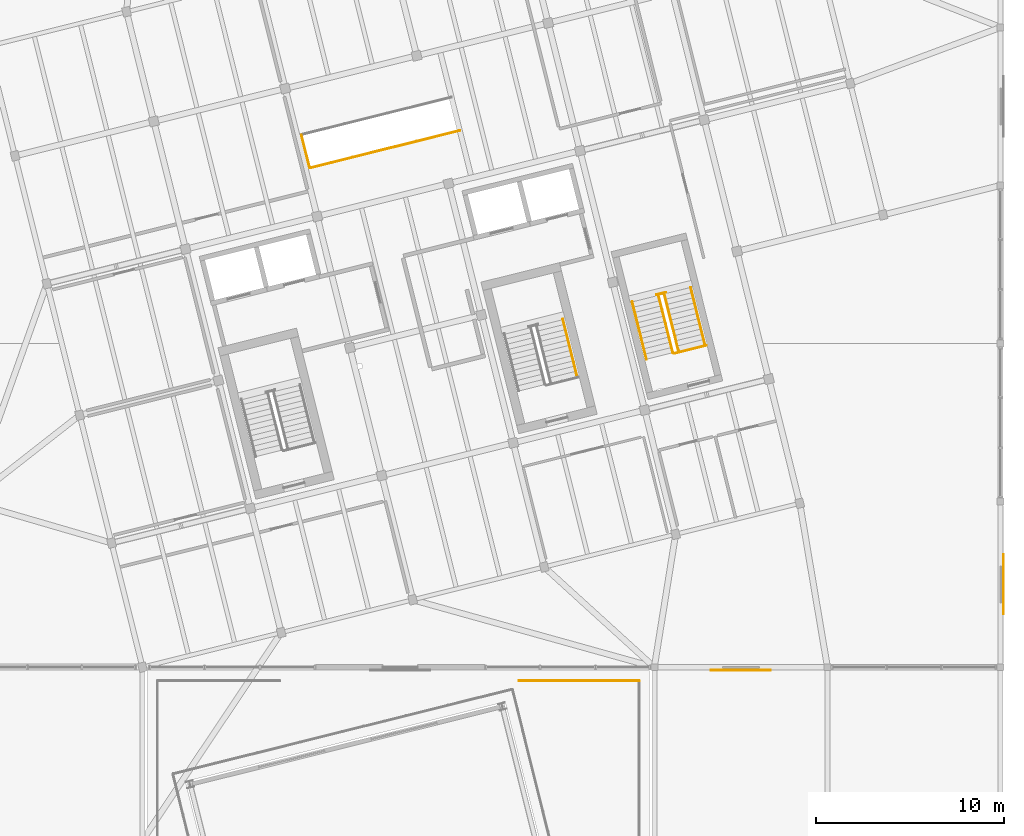
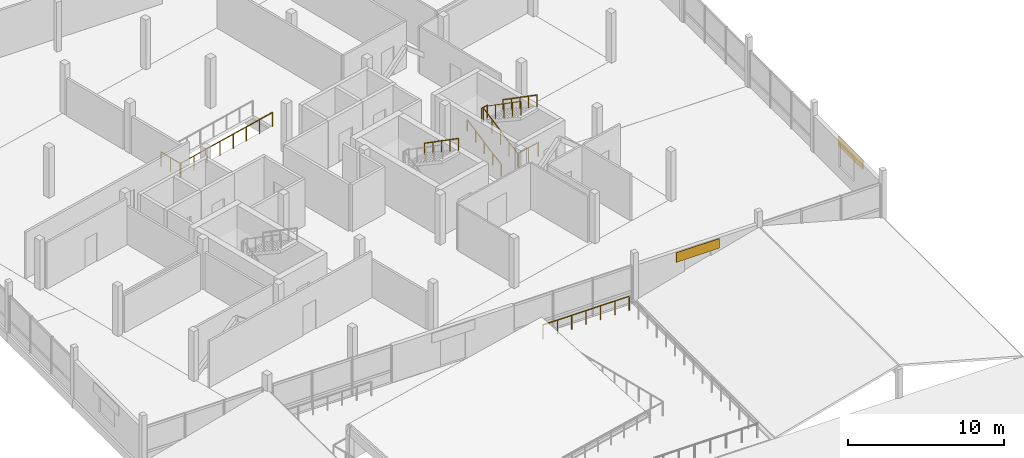
# One storey, part 38 of 39: 10 railings, 2 coverings.
"""IFC4 building model written with IfcOpenShell, lengths in metres."""

from ifc_helpers import new_model, si_unit, direction, frame, origin, origin_2d, place, context, subcontext, project, spatial, rectangle, circle, extrude, material, layer, layer_set, type_object, element, save


model = new_model("IFC4")

# Units and contexts
model_context = context("Model", 3, precision=1e-05, world=origin(), true_north=direction((0.0, 1.0)))
body_context = subcontext(model_context, "Body", "Model", "MODEL_VIEW")
ifc_project = project(units=[si_unit("LENGTHUNIT", "METRE"), si_unit("AREAUNIT", "SQUARE_METRE"), si_unit("VOLUMEUNIT", "CUBIC_METRE"), si_unit("PLANEANGLEUNIT", "RADIAN"), si_unit("MASSUNIT", "GRAM", prefix="KILO")], contexts=[model_context])

# Site, building, storey
site_placement = place(None, origin())
site = spatial("IfcSite", under=ifc_project, at=site_placement, CompositionType="ELEMENT")
building_placement = place(site_placement, origin())
building = spatial("IfcBuilding", under=site, at=building_placement, Name="Meriwether Solvik Hall", CompositionType="ELEMENT")
storey_placement = place(building_placement, frame((0.0, 0.0, 22.199951171875)))
storey = spatial("IfcBuildingStorey", under=building, at=storey_placement, Name="L05", CompositionType="ELEMENT", Elevation=22.199951171875)

# Coverings
ifc_material_1 = material(Name="Acetylated Charred Western Red Cedar Timber", Category="wood")
ifc_layer_1 = layer(ifc_material_1, 0.0400390625)
ifc_layer_set_1 = layer_set([ifc_layer_1], Name="Acetylated Charred Western Red Cedar Timber")
covering_type = type_object("IfcCoveringType", Name="COV-CLAD-TIMB", PredefinedType="CLADDING", material=ifc_layer_set_1)
for number, where, z_axis, x_axis, name in (
    (1, (100.39990234375, 41.0400390625, 2.080078125), (0.0, 0.0, 1.0), (-1.0, 0.0, 0.0), "L05 Facade Cladding XE_11_4"),
    (2, (114.360107421875, 45.60009765625, 2.080078125), (0.0, 0.0, 1.0), (0.0, -1.0, 0.0), "L05 Facade Cladding Y13_5_18"),
):
    element("IfcCovering", number, at=place(storey_placement, frame(where, z_axis=z_axis, x_axis=x_axis)), inside=storey, type_object=covering_type, Name=name, PredefinedType="CLADDING", context=body_context, shape_type="SweptSolid", body=[
        extrude(rectangle(XDim=3.199951171875, YDim=0.0400390625, at=origin_2d()), origin(), (0.0, 0.0, 1.0), 0.75),
    ])

# Railings
ifc_material_2 = material(Name="Steel A36 Galvanised", Category="steel")
ifc_layer_2 = layer(ifc_material_2, 0.054931640625)
ifc_layer_set_2 = layer_set([ifc_layer_2], Name="Steel A36 Galvanised")
railing_type_1 = type_object("IfcRailingType", Name="RAIL-STR-GUARD", PredefinedType="GUARDRAIL", material=ifc_layer_set_2)
railing_1_placement = place(storey_placement, frame((95.92333984375, 60.992919921875, 1.949951171875)))
element("IfcRailing", 3, at=railing_1_placement, inside=storey, type_object=railing_type_1, Name="Stair ST-03 Landing Guardrail (L05)", PredefinedType="GUARDRAIL", context=body_context, shape_type="SweptSolid", body=[
    extrude(circle(Radius=0.02392578125, at=origin_2d()), frame((0.0, 0.0, 1.09619140625), z_axis=(0.970228607419, 0.242190935722, 0.0), x_axis=(-0.242190935722, 0.970228607419, 0.0)), (0.0, 0.0, 1.0), 0.5),
    extrude(circle(Radius=0.02099609375, at=origin_2d()), origin(), (0.0, 0.0, 1.0), 1.072021484375),
    extrude(circle(Radius=0.02099609375, at=origin_2d()), frame((0.485107421875, 0.12109375, 0.0)), (0.0, 0.0, 1.0), 1.072021484375),
])
railing_2_placement = place(storey_placement, frame((96.856201171875, 57.87109375, 0.0)))
element("IfcRailing", 4, at=railing_2_placement, inside=storey, type_object=railing_type_1, Name="Stair ST-03 Well Guardrail (L05)", PredefinedType="GUARDRAIL", context=body_context, shape_type="SweptSolid", body=[
    extrude(circle(Radius=0.02392578125, at=origin_2d()), frame((0.0, 0.0, 1.09619140625), z_axis=(0.970298223594, 0.241911879182, 0.0), x_axis=(-0.241911879182, 0.970298223594, 0.0)), (0.0, 0.0, 1.0), 1.75),
    extrude(circle(Radius=0.02099609375, at=origin_2d()), origin(), (0.0, 0.0, 1.0), 1.072021484375),
    extrude(circle(Radius=0.02099609375, at=origin_2d()), frame((0.84912109375, 0.211669921875, 0.0)), (0.0, 0.0, 1.0), 1.072021484375),
    extrude(circle(Radius=0.02099609375, at=origin_2d()), frame((1.697998046875, 0.42333984375, 0.0)), (0.0, 0.0, 1.0), 1.072021484375),
])
railing_3_placement = place(storey_placement, frame((96.783447265625, 57.914794921875, 0.0)))
element("IfcRailing", 5, at=railing_3_placement, inside=storey, type_object=railing_type_1, Name="Stair ST-03 Flight 1 Inner Guardrail (L05)", PredefinedType="GUARDRAIL", context=body_context, shape_type="SweptSolid", body=[
    extrude(circle(Radius=0.02392578125, at=origin_2d()), frame((0.0, 0.0, 1.09619140625), z_axis=(-0.205400062928, 0.823914804899, 0.528181037541), x_axis=(-0.97030262861, -0.241894210166, 0.0)), (0.0, 0.0, 1.0), 3.69189453125),
    extrude(circle(Radius=0.02099609375, at=origin_2d()), origin(), (0.0, 0.0, 1.0), 1.072021484375),
    extrude(circle(Radius=0.02099609375, at=origin_2d()), frame((-0.189453125, 0.760498046875, 0.487548828125)), (0.0, 0.0, 1.0), 1.072021484375),
    extrude(circle(Radius=0.02099609375, at=origin_2d()), frame((-0.379150390625, 1.52099609375, 0.97509765625)), (0.0, 0.0, 1.0), 1.072021484375),
    extrude(circle(Radius=0.02099609375, at=origin_2d()), frame((-0.56884765625, 2.28125, 1.46240234375)), (0.0, 0.0, 1.0), 1.072021484375),
    extrude(circle(Radius=0.02099609375, at=origin_2d()), frame((-0.75830078125, 3.041748046875, 1.949951171875)), (0.0, 0.0, 1.0), 1.072021484375),
])
railing_4_placement = place(storey_placement, frame((96.335693359375, 61.033935546875, 1.949951171875)))
element("IfcRailing", 6, at=railing_4_placement, inside=storey, type_object=railing_type_1, Name="Stair ST-03 Flight 2 Inner Guardrail (L05)", PredefinedType="GUARDRAIL", context=body_context, shape_type="SweptSolid", body=[
    extrude(circle(Radius=0.02392578125, at=origin_2d()), frame((0.0, 0.0, 1.09619140625), z_axis=(0.205392888505, -0.823886026365, 0.528228716478), x_axis=(0.97030262861, 0.241894210166, 0.0)), (0.0, 0.0, 1.0), 3.69189453125),
    extrude(circle(Radius=0.02099609375, at=origin_2d()), origin(), (0.0, 0.0, 1.0), 1.072021484375),
    extrude(circle(Radius=0.02099609375, at=origin_2d()), frame((0.189453125, -0.760498046875, 0.487548828125)), (0.0, 0.0, 1.0), 1.072021484375),
    extrude(circle(Radius=0.02099609375, at=origin_2d()), frame((0.379150390625, -1.52099609375, 0.97509765625)), (0.0, 0.0, 1.0), 1.072021484375),
    extrude(circle(Radius=0.02099609375, at=origin_2d()), frame((0.56884765625, -2.28125, 1.462646484375)), (0.0, 0.0, 1.0), 1.072021484375),
    extrude(circle(Radius=0.02099609375, at=origin_2d()), frame((0.75830078125, -3.041748046875, 1.9501953125)), (0.0, 0.0, 1.0), 1.072021484375),
])
railing_5_placement = place(storey_placement, frame((85.46337890625, 69.71142578125, 0.0)))
element("IfcRailing", 7, at=railing_5_placement, inside=storey, type_object=railing_type_1, Name="Stair ST-ED2 Arrival Well Guardrail (L05) 1", PredefinedType="GUARDRAIL", context=body_context, shape_type="SweptSolid", body=[
    extrude(circle(Radius=0.02392578125, at=origin_2d()), frame((0.0, 0.0, 1.09619140625), z_axis=(-0.970300148614, -0.241904157879, 0.0), x_axis=(0.241904157879, -0.970300148614, 0.0)), (0.0, 0.0, 1.0), 8.18798828125),
    extrude(circle(Radius=0.02099609375, at=origin_2d()), origin(), (0.0, 0.0, 1.0), 1.072021484375),
    extrude(circle(Radius=0.02099609375, at=origin_2d()), frame((-1.135009765625, -0.282958984375, 0.0)), (0.0, 0.0, 1.0), 1.072021484375),
    extrude(circle(Radius=0.02099609375, at=origin_2d()), frame((-2.27001953125, -0.56591796875, 0.0)), (0.0, 0.0, 1.0), 1.072021484375),
    extrude(circle(Radius=0.02099609375, at=origin_2d()), frame((-3.405029296875, -0.848876953125, 0.0)), (0.0, 0.0, 1.0), 1.072021484375),
    extrude(circle(Radius=0.02099609375, at=origin_2d()), frame((-4.539794921875, -1.1318359375, 0.0)), (0.0, 0.0, 1.0), 1.072021484375),
    extrude(circle(Radius=0.02099609375, at=origin_2d()), frame((-5.6748046875, -1.414794921875, 0.0)), (0.0, 0.0, 1.0), 1.072021484375),
    extrude(circle(Radius=0.02099609375, at=origin_2d()), frame((-6.809814453125, -1.69775390625, 0.0)), (0.0, 0.0, 1.0), 1.072021484375),
    extrude(circle(Radius=0.02099609375, at=origin_2d()), frame((-7.94482421875, -1.980712890625, 0.0)), (0.0, 0.0, 1.0), 1.072021484375),
])
railing_6_placement = place(storey_placement, frame((77.479736328125, 67.75390625, 0.0)))
element("IfcRailing", 8, at=railing_6_placement, inside=storey, type_object=railing_type_1, Name="Stair ST-ED2 Arrival Well Guardrail (L05) 2", PredefinedType="GUARDRAIL", context=body_context, shape_type="SweptSolid", body=[
    extrude(circle(Radius=0.02392578125, at=origin_2d()), frame((0.0, 0.0, 1.09619140625), z_axis=(-0.241917567921, 0.970296805277, 0.0), x_axis=(-0.970296805277, -0.241917567921, 0.0)), (0.0, 0.0, 1.0), 1.76611328125),
    extrude(circle(Radius=0.02099609375, at=origin_2d()), origin(), (0.0, 0.0, 1.0), 1.072021484375),
    extrude(circle(Radius=0.02099609375, at=origin_2d()), frame((-0.213623046875, 0.85693359375, 0.0)), (0.0, 0.0, 1.0), 1.072021484375),
    extrude(circle(Radius=0.02099609375, at=origin_2d()), frame((-0.42724609375, 1.713623046875, 0.0)), (0.0, 0.0, 1.0), 1.072021484375),
])
ifc_material_3 = material(Name="Stainless Steel AISI 316", Category="steel")
ifc_layer_3 = layer(ifc_material_3, 0.044921875)
ifc_layer_set_3 = layer_set([ifc_layer_3], Name="Stainless Steel AISI 316")
railing_type_2 = type_object("IfcRailingType", Name="RAIL-STR-HAND", PredefinedType="HANDRAIL", material=ifc_layer_set_3)
railing_7_placement = place(storey_placement, frame((90.940673828125, 59.68896484375, 1.949951171875)))
element("IfcRailing", 9, at=railing_7_placement, inside=storey, type_object=railing_type_2, Name="Stair ST-02 Upper Handrail (L05)", PredefinedType="HANDRAIL", context=body_context, shape_type="SweptSolid", body=[
    extrude(circle(Radius=0.02392578125, at=origin_2d()), frame((0.0, 0.0, 0.89599609375), z_axis=(0.205467106702, -0.823914517495, 0.528155408876), x_axis=(0.970284074567, 0.241968623258, 0.0)), (0.0, 0.0, 1.0), 3.698974609375),
    extrude(circle(Radius=0.02099609375, at=origin_2d()), origin(), (0.0, 0.0, 1.0), 0.871826171875),
    extrude(circle(Radius=0.02099609375, at=origin_2d()), frame((0.18994140625, -0.761962890625, 0.48828125)), (0.0, 0.0, 1.0), 0.871826171875),
    extrude(circle(Radius=0.02099609375, at=origin_2d()), frame((0.3798828125, -1.52392578125, 0.976806640625)), (0.0, 0.0, 1.0), 0.871826171875),
    extrude(circle(Radius=0.02099609375, at=origin_2d()), frame((0.570068359375, -2.28564453125, 1.46533203125)), (0.0, 0.0, 1.0), 0.871826171875),
    extrude(circle(Radius=0.02099609375, at=origin_2d()), frame((0.760009765625, -3.047607421875, 1.95361328125)), (0.0, 0.0, 1.0), 0.871826171875),
])
railing_8_placement = place(storey_placement, frame((95.38623046875, 57.56640625, 0.0)))
element("IfcRailing", 10, at=railing_8_placement, inside=storey, type_object=railing_type_2, Name="Stair ST-03 Lower Handrail (L05)", PredefinedType="HANDRAIL", context=body_context, shape_type="SweptSolid", body=[
    extrude(circle(Radius=0.02392578125, at=origin_2d()), frame((0.0, 0.0, 0.89599609375), z_axis=(-0.205415059707, 0.823904490764, 0.528191294271), x_axis=(-0.970297772345, -0.241913689115, 0.0)), (0.0, 0.0, 1.0), 3.69873046875),
    extrude(circle(Radius=0.02099609375, at=origin_2d()), origin(), (0.0, 0.0, 1.0), 0.871826171875),
    extrude(circle(Radius=0.02099609375, at=origin_2d()), frame((-0.18994140625, 0.76171875, 0.48828125)), (0.0, 0.0, 1.0), 0.871826171875),
    extrude(circle(Radius=0.02099609375, at=origin_2d()), frame((-0.3798828125, 1.523681640625, 0.976806640625)), (0.0, 0.0, 1.0), 0.871826171875),
    extrude(circle(Radius=0.02099609375, at=origin_2d()), frame((-0.56982421875, 2.28564453125, 1.46533203125)), (0.0, 0.0, 1.0), 0.871826171875),
    extrude(circle(Radius=0.02099609375, at=origin_2d()), frame((-0.759765625, 3.04736328125, 1.95361328125)), (0.0, 0.0, 1.0), 0.871826171875),
])
railing_9_placement = place(storey_placement, frame((97.73291015625, 61.38232421875, 1.949951171875)))
element("IfcRailing", 11, at=railing_9_placement, inside=storey, type_object=railing_type_2, Name="Stair ST-03 Upper Handrail (L05)", PredefinedType="HANDRAIL", context=body_context, shape_type="SweptSolid", body=[
    extrude(circle(Radius=0.02392578125, at=origin_2d()), frame((0.0, 0.0, 0.89599609375), z_axis=(0.205415059707, -0.823904490764, 0.528191294271), x_axis=(0.970297772345, 0.241913689115, 0.0)), (0.0, 0.0, 1.0), 3.69873046875),
    extrude(circle(Radius=0.02099609375, at=origin_2d()), origin(), (0.0, 0.0, 1.0), 0.871826171875),
    extrude(circle(Radius=0.02099609375, at=origin_2d()), frame((0.18994140625, -0.76171875, 0.48828125)), (0.0, 0.0, 1.0), 0.871826171875),
    extrude(circle(Radius=0.02099609375, at=origin_2d()), frame((0.3798828125, -1.523681640625, 0.976806640625)), (0.0, 0.0, 1.0), 0.871826171875),
    extrude(circle(Radius=0.02099609375, at=origin_2d()), frame((0.56982421875, -2.28564453125, 1.46533203125)), (0.0, 0.0, 1.0), 0.871826171875),
    extrude(circle(Radius=0.02099609375, at=origin_2d()), frame((0.759765625, -3.04736328125, 1.95361328125)), (0.0, 0.0, 1.0), 0.871826171875),
])
ifc_material_4 = material(Name="Laminated Tempered Glass and Stainless Steel AISI 316", Category="steel")
ifc_layer_4 = layer(ifc_material_4, 0.06005859375)
ifc_layer_set_4 = layer_set([ifc_layer_4], Name="Laminated Tempered Glass and Stainless Steel AISI 316")
railing_type_3 = type_object("IfcRailingType", Name="RAIL-TERR-1120", PredefinedType="GUARDRAIL", material=ifc_layer_set_4)
railing_10_placement = place(storey_placement, frame((88.607421875, 40.469970703125, 0.0)))
element("IfcRailing", 12, at=railing_10_placement, inside=storey, type_object=railing_type_3, Name="L05 Civic Terrace Guardrail 2 1", PredefinedType="GUARDRAIL", context=body_context, shape_type="SweptSolid", body=[
    extrude(circle(Radius=0.02392578125, at=origin_2d()), frame((0.0, 0.0, 1.09619140625), z_axis=(1.0, 0.0, 0.0), x_axis=(0.0, 1.0, 0.0)), (0.0, 0.0, 1.0), 6.392578125),
    extrude(circle(Radius=0.02099609375, at=origin_2d()), origin(), (0.0, 0.0, 1.0), 1.072021484375),
    extrude(circle(Radius=0.02099609375, at=origin_2d()), frame((1.0654296875, 0.0, 0.0)), (0.0, 0.0, 1.0), 1.072021484375),
    extrude(circle(Radius=0.02099609375, at=origin_2d()), frame((2.130859375, 0.0, 0.0)), (0.0, 0.0, 1.0), 1.072021484375),
    extrude(circle(Radius=0.02099609375, at=origin_2d()), frame((3.1962890625, 0.0, 0.0)), (0.0, 0.0, 1.0), 1.072021484375),
    extrude(circle(Radius=0.02099609375, at=origin_2d()), frame((4.26171875, 0.0, 0.0)), (0.0, 0.0, 1.0), 1.072021484375),
    extrude(circle(Radius=0.02099609375, at=origin_2d()), frame((5.3271484375, 0.0, 0.0)), (0.0, 0.0, 1.0), 1.072021484375),
    extrude(circle(Radius=0.02099609375, at=origin_2d()), frame((6.392578125, 0.0, 0.0)), (0.0, 0.0, 1.0), 1.072021484375),
])

save(model, "model.ifc")
